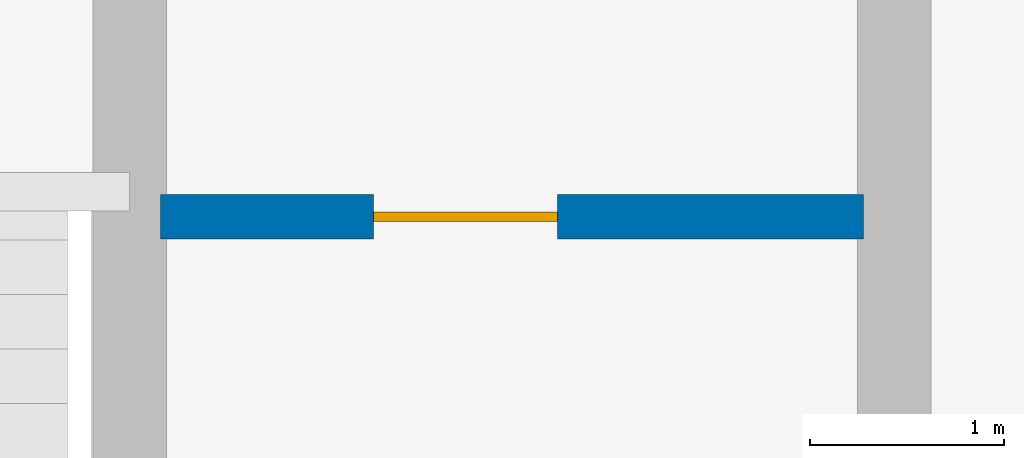
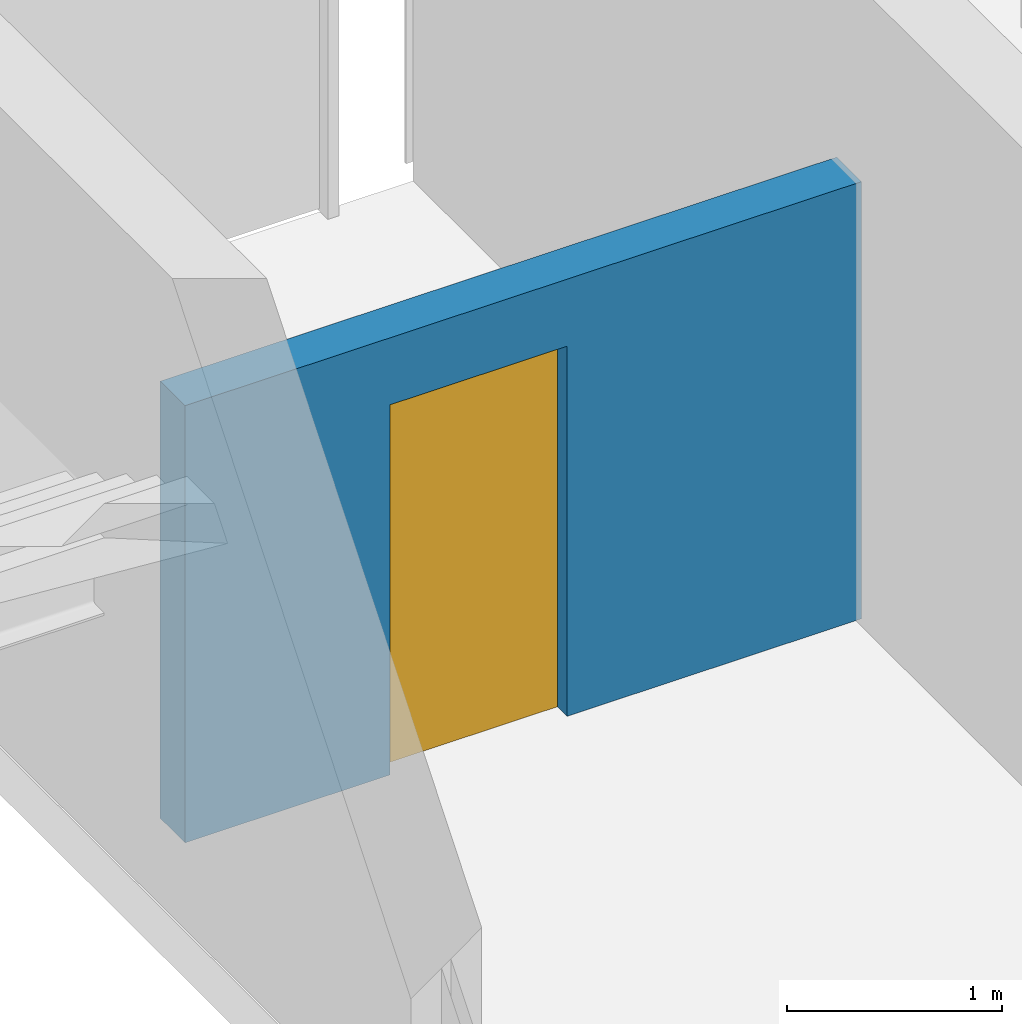
# One storey, part 44 of 83: 1 door, 1 wall, 1 opening.
"""IFC4 building model written with IfcOpenShell, lengths in metres."""

from ifc_helpers import new_model, si_unit, derived_unit, direction, frame, frame_2d, origin, place, context, subcontext, project, spatial, rectangle, extrude, material, layer, layer_set, type_object, element, fill, save


model = new_model("IFC4")

# Units and contexts
model_context = context("Model", 3, precision=1e-05, world=origin(), true_north=direction((0.0, 1.0)))
body_context = subcontext(model_context, "Body", "Model", "MODEL_VIEW")
ifc_project = project(units=[si_unit("LENGTHUNIT", "METRE"), si_unit("AREAUNIT", "SQUARE_METRE"), si_unit("VOLUMEUNIT", "CUBIC_METRE"), si_unit("PLANEANGLEUNIT", "RADIAN"), si_unit("MASSUNIT", "GRAM", prefix="KILO"), si_unit("THERMODYNAMICTEMPERATUREUNIT", "KELVIN"), derived_unit("THERMALTRANSMITTANCEUNIT", [(si_unit("POWERUNIT", "WATT"), 1), (si_unit("AREAUNIT", "SQUARE_METRE"), -1), (si_unit("THERMODYNAMICTEMPERATUREUNIT", "KELVIN"), -1)])], contexts=[model_context])

# Site, building, storey
site_placement = place(None, origin())
site = spatial("IfcSite", under=ifc_project, at=site_placement, CompositionType="ELEMENT")
building_placement = place(site_placement, origin())
building = spatial("IfcBuilding", under=site, at=building_placement, Name="Haiyu Intermodal Mobility Hub", CompositionType="ELEMENT")
storey_placement = place(building_placement, frame((0.0, 0.0, 13.39990234375)))
storey = spatial("IfcBuildingStorey", under=building, at=storey_placement, Name="L03", CompositionType="ELEMENT", Elevation=13.39990234375)

# Wall, opening, door
ifc_material_1 = material(Name="Autoclaved aerated concrete block A5.0", Category="concrete")
ifc_layer = layer(ifc_material_1, 0.22998046875)
ifc_layer_set = layer_set([ifc_layer], Name="Autoclaved aerated concrete block A5.0")
wall_type = type_object("IfcWallType", Name="WAL-WI01", PredefinedType="PARTITIONING", material=ifc_layer_set)
wall_placement = place(storey_placement, frame((26.2099609375, 144.0, 0.0), z_axis=(0.0, 0.0, 1.0), x_axis=(1.0, 0.0, 0.0)))
wall = element("IfcWall", 1, at=wall_placement, inside=storey, type_object=wall_type, Name="WAL-CORE-C3-LFT-L03", PredefinedType="PARTITIONING", context=body_context, shape_type="SweptSolid", body=[
    extrude(rectangle(XDim=3.630126953125, YDim=0.22998046875, at=frame_2d((1.81494140625, 0.0))), origin(), (0.0, 0.0, 1.0), 2.47998046875),
])
opening_placement = place(wall_placement, frame((1.10009765625, 0.0, 0.0)))
opening = element("IfcOpeningElement", 2, at=opening_placement, cuts=wall, Name="Opening DI07", PredefinedType="OPENING", context=body_context, shape_type="SweptSolid", body=[
    extrude(rectangle(XDim=0.949951171875, YDim=2.10009765625, at=frame_2d((0.47509765625, 1.050048828125))), frame((0.0, 0.125, 0.0), z_axis=(0.0, -1.0, 0.0), x_axis=(1.0, 0.0, 0.0)), (0.0, 0.0, 1.0), 0.25),
])
ifc_material_2 = material(Name="Steel Q355C", Category="steel")
door_type = type_object("IfcDoorType", Name="DR-DI07", OperationType="NOTDEFINED", PredefinedType="DOOR", material=ifc_material_2)
door_placement = place(opening_placement, origin())
door = element("IfcDoor", 3, at=door_placement, inside=storey, type_object=door_type, Name="Core C3 Accessible WC Door L03", OperationType="SINGLE_SWING_RIGHT", OverallHeight=2.10009765625, OverallWidth=0.949951171875, PredefinedType="DOOR", context=body_context, shape_type="SweptSolid", body=[
    extrude(rectangle(XDim=0.949951171875, YDim=2.10009765625, at=frame_2d((0.47509765625, 1.050048828125))), frame((0.0, 0.02490234375, 0.0), z_axis=(0.0, -1.0, 0.0), x_axis=(1.0, 0.0, 0.0)), (0.0, 0.0, 1.0), 0.050048828125),
])
fill(opening, door)

save(model, "model.ifc")
